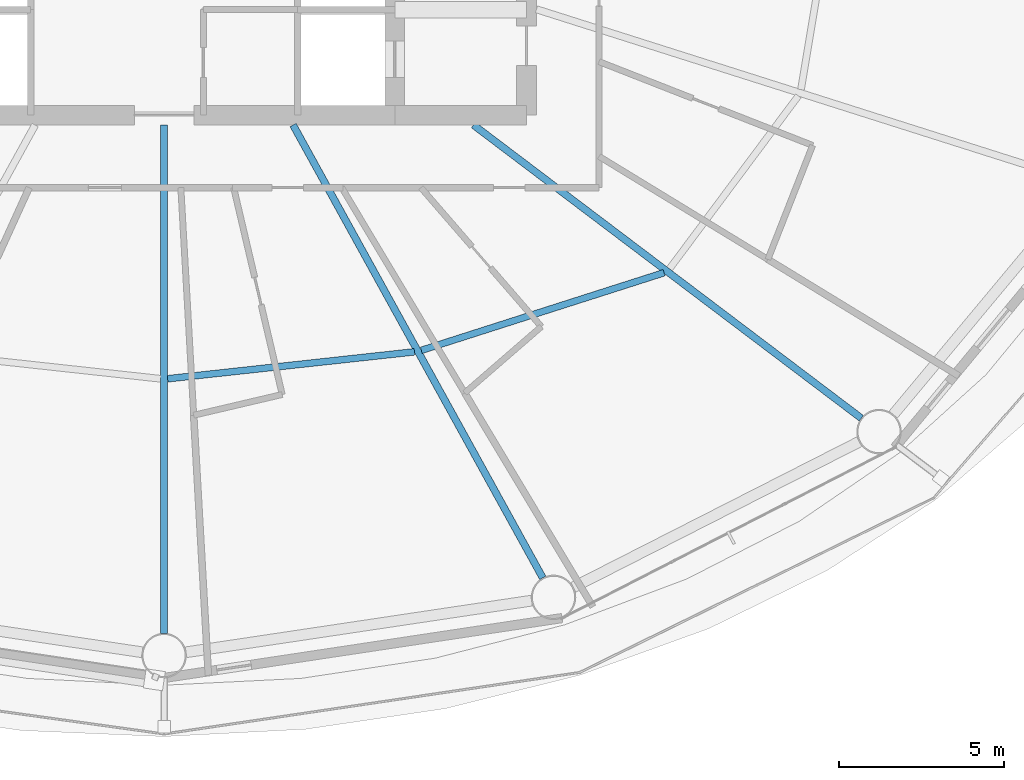
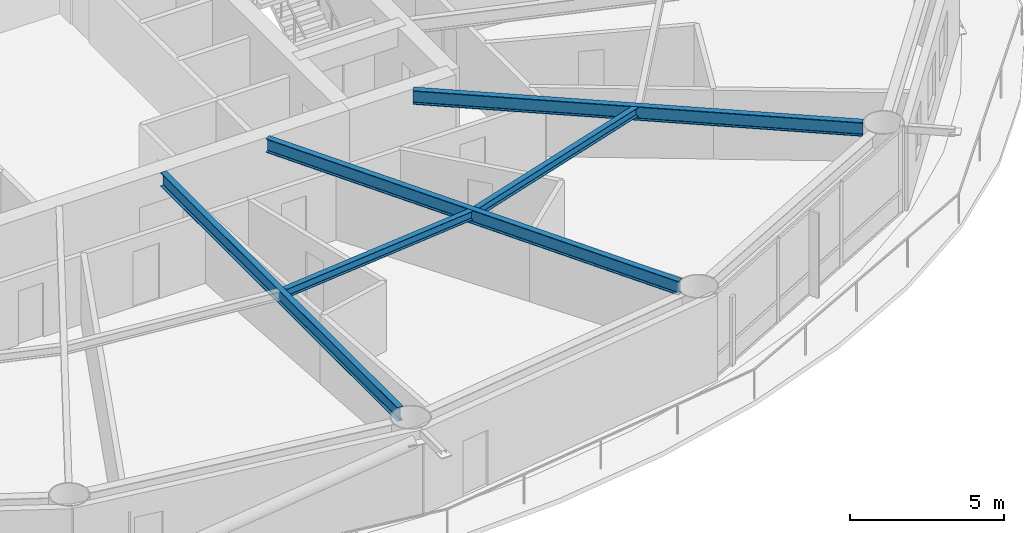
# One storey, part 7 of 26: 5 beams.
"""IFC4 building model written with IfcOpenShell, lengths in metres."""

import ifcopenshell
import ifcopenshell.guid

model = None  # the IFC model being written
_history = None  # IfcOwnerHistory: only IFC2X3 demands one
_inside = {}  # id of a spatial element -> (the spatial element, [elements in it])
_under = {}  # id of a project, library or spatial element -> (it, [spatial elements below it])
_declared = {}  # id of a project -> (the project, [libraries it declares])
_typed = {}  # id of a type object -> (the type object, [elements of that type])
_made_of = {}  # id of a material, layer set ... -> (it, [elements and type objects made of it])


def new_model(schema):
    """Start an empty IFC model of exactly this schema.

    Asked for "IFC4X3", IfcOpenShell would pick the latest addendum, in which some entities
    have other attributes; the version numbers below select the first issue.
    IFC2X3 requires an IfcOwnerHistory on every rooted entity: one is made here for all.
    """
    global model, _history
    if schema == "IFC4X3":
        model = ifcopenshell.file(schema_version=(4, 3, 0, 0))
    else:
        model = ifcopenshell.file(schema=schema)
    _inside.clear()
    _under.clear()
    _declared.clear()
    _typed.clear()
    _made_of.clear()
    _history = None
    if model.schema == "IFC2X3":
        org = make("IfcOrganization", Name="unknown")
        user = make(
            "IfcPersonAndOrganization",
            ThePerson=make("IfcPerson", FamilyName="unknown"),
            TheOrganization=org,
        )
        app = make(
            "IfcApplication",
            ApplicationDeveloper=org,
            Version="unknown",
            ApplicationFullName="unknown",
            ApplicationIdentifier="unknown",
        )
        _history = make(
            "IfcOwnerHistory",
            OwningUser=user,
            OwningApplication=app,
            ChangeAction="ADDED",
            CreationDate=0,
        )
    return model


def make(cls, **values):
    """One entity of the class cls with the attributes given. An attribute that is None is left unset."""
    return model.create_entity(
        cls, **{name: value for name, value in values.items() if value is not None}
    )


def rooted(cls, **values):
    """An entity with a GlobalId (a new one), such as an element, a storey or a relation."""
    return make(cls, GlobalId=ifcopenshell.guid.new(), OwnerHistory=_history, **values)


def si_unit(unit_type, name, prefix=None):
    """IfcSIUnit, for example si_unit("LENGTHUNIT", "METRE", prefix="MILLI")."""
    return make("IfcSIUnit", UnitType=unit_type, Prefix=prefix, Name=name)


def assignment(units):
    """IfcUnitAssignment: the units of a project."""
    return None if units is None else make("IfcUnitAssignment", Units=units)


def point(xyz):
    """IfcCartesianPoint."""
    return None if xyz is None else make("IfcCartesianPoint", Coordinates=xyz)


def direction(xyz):
    """IfcDirection."""
    return None if xyz is None else make("IfcDirection", DirectionRatios=xyz)


def frame(location, z_axis=None, x_axis=None):
    """IfcAxis2Placement3D, a coordinate frame: its origin and axes. An axis left out is left unset."""
    return make(
        "IfcAxis2Placement3D",
        Location=point(location),
        Axis=direction(z_axis),
        RefDirection=direction(x_axis),
    )


def frame_2d(location, x_axis=None):
    """IfcAxis2Placement2D, a coordinate frame in the plane: its origin and x axis."""
    return make(
        "IfcAxis2Placement2D", Location=point(location), RefDirection=direction(x_axis)
    )


def origin():
    """The frame at (0, 0, 0) with its axes left unset."""
    return frame((0.0, 0.0, 0.0))


def origin_2d():
    """The frame at (0, 0) in the plane with its x axis left unset."""
    return frame_2d((0.0, 0.0))


def place(relative_to, where):
    """IfcLocalPlacement: puts the frame where relative to a parent placement (None: the world)."""
    return make(
        "IfcLocalPlacement", PlacementRelTo=relative_to, RelativePlacement=where
    )


def context(
    kind, dimensions, precision=None, world=None, true_north=None, identifier=None
):
    """IfcGeometricRepresentationContext, for example the 3D "Model" context."""
    return make(
        "IfcGeometricRepresentationContext",
        ContextIdentifier=identifier,
        ContextType=kind,
        CoordinateSpaceDimension=dimensions,
        Precision=precision,
        WorldCoordinateSystem=world,
        TrueNorth=true_north,
    )


def subcontext(parent, identifier, kind, view, scale=None):
    """IfcGeometricRepresentationSubContext, for example "Body" below "Model"."""
    return make(
        "IfcGeometricRepresentationSubContext",
        ContextIdentifier=identifier,
        ContextType=kind,
        ParentContext=parent,
        TargetScale=scale,
        TargetView=view,
    )


def project(units=None, contexts=None):
    """IfcProject with its units and contexts."""
    return rooted(
        "IfcProject",
        Name="project",
        RepresentationContexts=contexts,
        UnitsInContext=assignment(units),
    )


def spatial(cls, under=None, at=None, **own):
    """A site, building, storey or space (cls), placed at a placement, below another one or the project."""
    s = rooted(cls, ObjectPlacement=at, **own)
    if under is not None:
        _under.setdefault(under.id(), (under, []))[1].append(s)
    return s


def profile(cls, at=None, kind="AREA", **sizes):
    """A parametric profile (cls). Its sizes go by their IFC names, for example OverallWidth=200.0."""
    return make(cls, ProfileType=kind, Position=at, **sizes)


def i_section(**sizes):
    """IfcIShapeProfileDef."""
    return profile("IfcIShapeProfileDef", **sizes)


def extrude(swept, where, along, depth):
    """IfcExtrudedAreaSolid: the profile swept, set in the frame where, extruded along a direction by depth."""
    return make(
        "IfcExtrudedAreaSolid",
        SweptArea=swept,
        Position=where,
        ExtrudedDirection=direction(along),
        Depth=depth,
    )


def shape(context_of_items, identifier, shape_type, items):
    """IfcShapeRepresentation: the items that make up one representation, for example the "Body"."""
    return make(
        "IfcShapeRepresentation",
        ContextOfItems=context_of_items,
        RepresentationIdentifier=identifier,
        RepresentationType=shape_type,
        Items=items,
    )


def material(Name=None, Category=None):
    """IfcMaterial."""
    return make("IfcMaterial", Name=Name, Category=Category)


def material_profile(
    of_material, cross_section, Name=None, Category=None, Priority=None
):
    """IfcMaterialProfile: a cross section and its material."""
    return make(
        "IfcMaterialProfile",
        Name=Name,
        Material=of_material,
        Profile=cross_section,
        Priority=Priority,
        Category=Category,
    )


def profile_set(profiles, Name=None, composite=None):
    """IfcMaterialProfileSet."""
    return make(
        "IfcMaterialProfileSet",
        Name=Name,
        MaterialProfiles=profiles,
        CompositeProfile=composite,
    )


def made_of(thing, what):
    """Note that an element or type object is made of a material, layer set ...; save() writes the relation."""
    if what is not None:
        _made_of.setdefault(what.id(), (what, []))[1].append(thing)
    return thing


def type_object(cls, material=None, **own):
    """A type object (cls), such as IfcWallType, which elements share."""
    return made_of(rooted(cls, **own), material)


def element(
    cls,
    number,
    at=None,
    inside=None,
    cuts=None,
    type_object=None,
    material=None,
    context=None,
    identifier="Body",
    shape_type=None,
    held_by="IfcProductDefinitionShape",
    body=None,
    shapes=None,
    **own,
):
    """One element of the class cls, such as IfcWall. Its Tag is "e" and its number.

    at: its placement. inside: the storey or other place that contains it. cuts: it is an
    opening in that element (IfcRelVoidsElement). A single representation is given by context,
    identifier, shape_type and body (its items); several are given by shapes. held_by: the class
    of the entity that holds the representations. save() writes the other relations.
    """
    e = rooted(cls, Tag="e%d" % number, ObjectPlacement=at, **own)
    if body is not None:
        shapes = [shape(context, identifier, shape_type, body)]
    if shapes is not None:
        e.Representation = make(held_by, Representations=shapes)
    if inside is not None:
        _inside.setdefault(inside.id(), (inside, []))[1].append(e)
    if cuts is not None:
        rooted(
            "IfcRelVoidsElement", RelatingBuildingElement=cuts, RelatedOpeningElement=e
        )
    if type_object is not None:
        _typed.setdefault(type_object.id(), (type_object, []))[1].append(e)
    return made_of(e, material)


def aggregate(whole, parts):
    """IfcRelAggregates: a whole, such as a stair, and the parts it consists of."""
    return rooted("IfcRelAggregates", RelatingObject=whole, RelatedObjects=parts)


def save(model, path):
    """Write the relations noted so far, then the file.

    IfcRelAggregates (storeys below a building ...), IfcRelContainedInSpatialStructure (elements
    in a storey), IfcRelDefinesByType, IfcRelAssociatesMaterial and IfcRelDeclares: one each for
    every whole, place, type object, material and project.
    """
    for whole, parts in _under.values():
        aggregate(whole, parts)
    for where, things in _inside.values():
        rooted(
            "IfcRelContainedInSpatialStructure",
            RelatedElements=things,
            RelatingStructure=where,
        )
    for kind, things in _typed.values():
        rooted("IfcRelDefinesByType", RelatedObjects=things, RelatingType=kind)
    for what, things in _made_of.values():
        rooted("IfcRelAssociatesMaterial", RelatedObjects=things, RelatingMaterial=what)
    for by, libraries in _declared.values():
        rooted("IfcRelDeclares", RelatingContext=by, RelatedDefinitions=libraries)
    model.write(path)


model = new_model("IFC4")

# Units and contexts
model_context = context("Model", 3, precision=1e-05, world=origin(), true_north=direction((0.0, 1.0)))
body_context = subcontext(model_context, "Body", "Model", "MODEL_VIEW")
ifc_project = project(units=[si_unit("LENGTHUNIT", "METRE"), si_unit("AREAUNIT", "SQUARE_METRE"), si_unit("VOLUMEUNIT", "CUBIC_METRE"), si_unit("PLANEANGLEUNIT", "RADIAN"), si_unit("MASSUNIT", "GRAM", prefix="KILO")], contexts=[model_context])

# Site, building, storey
site_placement = place(None, origin())
site = spatial("IfcSite", under=ifc_project, at=site_placement, CompositionType="ELEMENT")
building_placement = place(site_placement, origin())
building = spatial("IfcBuilding", under=site, at=building_placement, Name="Sarneth Arch Tower", CompositionType="ELEMENT")
storey_placement = place(building_placement, frame((0.0, 0.0, 53.39990234375)))
storey = spatial("IfcBuildingStorey", under=building, at=storey_placement, Name="L12", CompositionType="ELEMENT", Elevation=53.39990234375)

# Beams
ifc_material_1 = material(Name="Steel S355", Category="steel")
ifc_material_profile_1 = material_profile(ifc_material_1, i_section(OverallWidth=0.2041015625, OverallDepth=0.35009765625, WebThickness=0.008544921875, FlangeThickness=0.01513671875, FilletRadius=0.014892578125, at=origin_2d()), Name="W360x72")
ifc_profile_set_1 = profile_set([ifc_material_profile_1], Name="Steel S355")
beam_type_1 = type_object("IfcBeamType", Name="BM-JOIST-360D", PredefinedType="JOIST", material=ifc_profile_set_1)
beam_1_placement = place(storey_placement, frame((48.1064453125, 27.19921875, 3.205078125), z_axis=(0.994095251924, 0.108510967657, 0.0), x_axis=(-0.108510967657, 0.994095251924, 0.0)))
element("IfcBeam", 1, at=beam_1_placement, inside=storey, type_object=beam_type_1, Name="L12 Secondary floor joist 13", PredefinedType="JOIST", context=body_context, shape_type="SweptSolid", body=[
    extrude(i_section(OverallWidth=0.2041015625, OverallDepth=0.35009765625, WebThickness=0.008544921875, FlangeThickness=0.01513671875, FilletRadius=0.014892578125, at=origin_2d()), origin(), (0.0, 0.0, 1.0), 7.534912109375),
])
beam_2_placement = place(storey_placement, frame((55.80517578125, 28.061279296875, 3.205078125), z_axis=(0.952436240143, 0.304737934073, 0.0), x_axis=(-0.304737934073, 0.952436240143, 0.0)))
element("IfcBeam", 2, at=beam_2_placement, inside=storey, type_object=beam_type_1, Name="L12 Secondary floor joist 14", PredefinedType="JOIST", context=body_context, shape_type="SweptSolid", body=[
    extrude(i_section(OverallWidth=0.2041015625, OverallDepth=0.35009765625, WebThickness=0.008544921875, FlangeThickness=0.01513671875, FilletRadius=0.014892578125, at=origin_2d()), origin(), (0.0, 0.0, 1.0), 7.735107421875),
])
ifc_material_2 = material(Name="Steel S355", Category="steel")
ifc_material_profile_2 = material_profile(ifc_material_2, i_section(OverallWidth=0.214111328125, OverallDepth=0.549072265625, WebThickness=0.0146484375, FlangeThickness=0.023681640625, FilletRadius=0.01806640625, at=origin_2d()), Name="W530x138")
ifc_profile_set_2 = profile_set([ifc_material_profile_2], Name="Steel S355")
beam_type_2 = type_object("IfcBeamType", Name="BM-RAD-530A", PredefinedType="BEAM", material=ifc_profile_set_2)
beam_3_placement = place(storey_placement, frame((48.0, 34.89990234375, 3.105712890625), z_axis=(0.0, -1.0, 0.0), x_axis=(1.0, 0.0, 0.0)))
element("IfcBeam", 3, at=beam_3_placement, inside=storey, type_object=beam_type_2, Name="L12 Radial floor girder 13", PredefinedType="BEAM", context=body_context, shape_type="SweptSolid", body=[
    extrude(i_section(OverallWidth=0.214111328125, OverallDepth=0.549072265625, WebThickness=0.0146484375, FlangeThickness=0.023681640625, FilletRadius=0.01806640625, at=origin_2d()), origin(), (0.0, 0.0, 1.0), 15.4248046875),
])
beam_4_placement = place(storey_placement, frame((51.91455078125, 34.89990234375, 3.105712890625), z_axis=(0.482837562311, -0.875709933952, 0.0), x_axis=(0.875709933952, 0.482837562311, 0.0)))
element("IfcBeam", 4, at=beam_4_placement, inside=storey, type_object=beam_type_2, Name="L12 Radial floor girder 14", PredefinedType="BEAM", context=body_context, shape_type="SweptSolid", body=[
    extrude(i_section(OverallWidth=0.214111328125, OverallDepth=0.549072265625, WebThickness=0.0146484375, FlangeThickness=0.023681640625, FilletRadius=0.01806640625, at=origin_2d()), origin(), (0.0, 0.0, 1.0), 15.693359375),
])
beam_5_placement = place(storey_placement, frame((57.390380859375, 34.89990234375, 3.105712890625), z_axis=(0.797656612852, -0.603111870198, 0.0), x_axis=(0.603111870198, 0.797656612852, 0.0)))
element("IfcBeam", 5, at=beam_5_placement, inside=storey, type_object=beam_type_2, Name="L12 Radial floor girder 15", PredefinedType="BEAM", context=body_context, shape_type="SweptSolid", body=[
    extrude(i_section(OverallWidth=0.214111328125, OverallDepth=0.549072265625, WebThickness=0.0146484375, FlangeThickness=0.023681640625, FilletRadius=0.01806640625, at=origin_2d()), origin(), (0.0, 0.0, 1.0), 14.7529296875),
])

save(model, "model.ifc")
